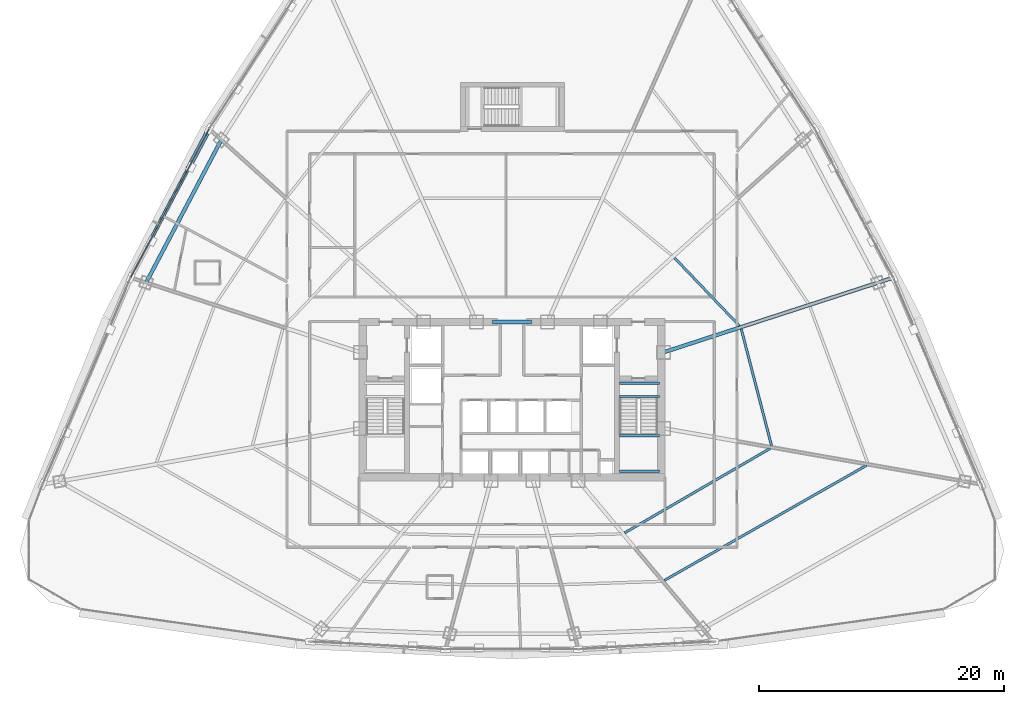
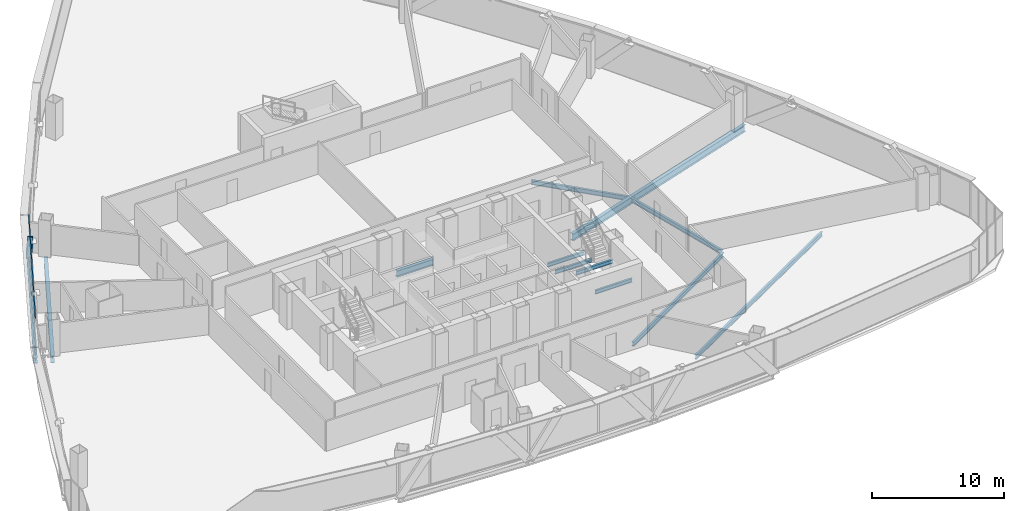
# One storey, part 17 of 40: 12 beams, 3 members, 1 element without a shape of its own.
"""IFC4 building model written with IfcOpenShell, lengths in metres."""

from ifc_helpers import new_model, si_unit, direction, frame, origin, origin_2d, place, context, subcontext, project, spatial, hollow_rectangle, i_section, extrude, source, transform, mapped, material, layer, layer_set, material_profile, profile_set, type_object, element, aggregate, save


model = new_model("IFC4")

# Units and contexts
model_context = context("Model", 3, precision=1e-05, world=origin(), true_north=direction((0.0, 1.0)))
body_context = subcontext(model_context, "Body", "Model", "MODEL_VIEW")
ifc_project = project(units=[si_unit("LENGTHUNIT", "METRE"), si_unit("AREAUNIT", "SQUARE_METRE"), si_unit("VOLUMEUNIT", "CUBIC_METRE"), si_unit("PLANEANGLEUNIT", "RADIAN"), si_unit("MASSUNIT", "GRAM", prefix="KILO"), si_unit("THERMODYNAMICTEMPERATUREUNIT", "KELVIN"), si_unit("POWERUNIT", "WATT")], contexts=[model_context])

# Site, building, storey
site_placement = place(None, origin())
site = spatial("IfcSite", under=ifc_project, at=site_placement, CompositionType="ELEMENT")
building_placement = place(site_placement, origin())
building = spatial("IfcBuilding", under=site, at=building_placement, Name="Yunzhuo Pagoda Commons", CompositionType="ELEMENT")
storey_placement = place(building_placement, frame((0.0, 0.0, 159.27001953125)))
storey = spatial("IfcBuildingStorey", under=building, at=storey_placement, Name="L40", CompositionType="ELEMENT", Elevation=159.27001953125)

# Beams
ifc_material_1 = material(Name="Structural steel Q355B", Category="steel")
ifc_material_profile_1 = material_profile(ifc_material_1, i_section(OverallWidth=0.175048828125, OverallDepth=0.35009765625, WebThickness=0.007080078125, FlangeThickness=0.010986328125, at=origin_2d()), Name="Structural steel Q355B")
ifc_profile_set_1 = profile_set([ifc_material_profile_1], Name="Structural steel Q355B")
beam_type_1 = type_object("IfcBeamType", Name="B-JS2 Joist HN 350x175x7x11", PredefinedType="JOIST", material=ifc_profile_set_1)
shared_shape_1 = source(origin(), body_context, "Body", "SweptSolid", [
    extrude(i_section(OverallWidth=0.175048828125, OverallDepth=0.35009765625, WebThickness=0.007080078125, FlangeThickness=0.010986328125, at=origin_2d()), origin(), (0.0, 0.0, 1.0), 3.25),
])
for number, where, z_axis, x_axis, name in (
    (1, (56.800048828125, 28.0, 1.465087890625), (1.0, 0.0, 0.0), (0.0, 1.0, 0.0), "L40 ST2 landing support beam 46A"),
    (2, (56.800048828125, 30.89990234375, 1.465087890625), (1.0, 0.0, 0.0), (0.0, 1.0, 0.0), "L40 ST2 landing support beam 46B"),
    (3, (56.800048828125, 34.10009765625, -0.374755859375), (1.0, 0.0, 0.0), (0.0, 1.0, 0.0), "L40 ST2 landing support beam 144A"),
    (4, (56.800048828125, 35.199951171875, -0.374755859375), (1.0, 0.0, 0.0), (0.0, 1.0, 0.0), "L40 ST2 landing support beam 144B"),
):
    element("IfcBeam", number, at=place(storey_placement, frame(where, z_axis=z_axis, x_axis=x_axis)), inside=storey, type_object=beam_type_1, Name=name, PredefinedType="JOIST", context=body_context, shape_type="MappedRepresentation", body=[
        mapped(shared_shape_1, transform((0.0, 0.0, 0.0), scale=1.0)),
    ])
ifc_material_2 = material(Name="Structural steel Q420B", Category="steel")
ifc_material_profile_2 = material_profile(ifc_material_2, i_section(OverallWidth=0.300048828125, OverallDepth=0.587890625, WebThickness=0.011962890625, FlangeThickness=0.02001953125, at=origin_2d()), Name="Structural steel Q420B")
ifc_profile_set_2 = profile_set([ifc_material_profile_2], Name="Structural steel Q420B")
beam_type_2 = type_object("IfcBeamType", Name="B-CPL Beam HM 588x300x12x20", PredefinedType="BEAM", material=ifc_profile_set_2)
shared_shape_2 = source(origin(), body_context, "Body", "SweptSolid", [
    extrude(i_section(OverallWidth=0.300048828125, OverallDepth=0.587890625, WebThickness=0.011962890625, FlangeThickness=0.02001953125, at=origin_2d()), origin(), (0.0, 0.0, 1.0), 3.2001953125),
])
beam_1_placement = place(storey_placement, frame((46.39990234375, 40.199951171875, -0.5537109375), z_axis=(1.0, 0.0, 0.0), x_axis=(0.0, 1.0, 0.0)))
element("IfcBeam", 5, at=beam_1_placement, inside=storey, type_object=beam_type_2, Name="L40 core coupling girder", PredefinedType="BEAM", context=body_context, shape_type="MappedRepresentation", body=[
    mapped(shared_shape_2, transform((0.0, 0.0, 0.0), scale=1.0)),
])
ifc_material_profile_3 = material_profile(ifc_material_1, i_section(OverallWidth=0.199951171875, OverallDepth=0.39990234375, WebThickness=0.008056640625, FlangeThickness=0.012939453125, at=origin_2d()), Name="Structural steel Q355B")
ifc_profile_set_3 = profile_set([ifc_material_profile_3], Name="Structural steel Q355B")
beam_type_3 = type_object("IfcBeamType", Name="B-JS1 Joist HN 400x200x8x13", PredefinedType="JOIST", material=ifc_profile_set_3)
shared_shape_3 = source(origin(), body_context, "Body", "SweptSolid", [
    extrude(i_section(OverallWidth=0.199951171875, OverallDepth=0.39990234375, WebThickness=0.008056640625, FlangeThickness=0.012939453125, at=origin_2d()), origin(), (0.0, 0.0, 1.0), 13.76416015625),
])
beam_2_placement = place(storey_placement, frame((57.2119140625, 22.96533203125, -0.4599609375), z_axis=(0.864967288101, 0.501828248025, 0.0), x_axis=(-0.501828248025, 0.864967288101, 0.0)))
element("IfcBeam", 6, at=beam_2_placement, inside=storey, type_object=beam_type_3, Name="L40 composite ring joist 1.4", PredefinedType="JOIST", context=body_context, shape_type="MappedRepresentation", body=[
    mapped(shared_shape_3, transform((0.0, 0.0, 0.0), scale=1.0)),
])
shared_shape_4 = source(origin(), body_context, "Body", "SweptSolid", [
    extrude(i_section(OverallWidth=0.199951171875, OverallDepth=0.39990234375, WebThickness=0.008056640625, FlangeThickness=0.012939453125, at=origin_2d()), origin(), (0.0, 0.0, 1.0), 19.007568359375),
])
beam_3_placement = place(storey_placement, frame((60.468017578125, 19.08447265625, -0.4599609375), z_axis=(0.869119947472, 0.494601371718, 0.0), x_axis=(-0.494601371718, 0.869119947472, 0.0)))
element("IfcBeam", 7, at=beam_3_placement, inside=storey, type_object=beam_type_3, Name="L40 composite ring joist 2.4", PredefinedType="JOIST", context=body_context, shape_type="MappedRepresentation", body=[
    mapped(shared_shape_4, transform((0.0, 0.0, 0.0), scale=1.0)),
])
shared_shape_5 = source(origin(), body_context, "Body", "SweptSolid", [
    extrude(i_section(OverallWidth=0.199951171875, OverallDepth=0.39990234375, WebThickness=0.008056640625, FlangeThickness=0.012939453125, at=origin_2d()), origin(), (0.0, 0.0, 1.0), 9.8330078125),
])
beam_4_placement = place(storey_placement, frame((69.215087890625, 30.10595703125, -0.4599609375), z_axis=(-0.251166367041, 0.967943932295, 0.0), x_axis=(-0.967943932295, -0.251166367041, 0.0)))
element("IfcBeam", 8, at=beam_4_placement, inside=storey, type_object=beam_type_3, Name="L40 composite ring joist 1.5", PredefinedType="JOIST", context=body_context, shape_type="MappedRepresentation", body=[
    mapped(shared_shape_5, transform((0.0, 0.0, 0.0), scale=1.0)),
])
ifc_material_profile_4 = material_profile(ifc_material_1, i_section(OverallWidth=0.300048828125, OverallDepth=0.64990234375, WebThickness=0.012939453125, FlangeThickness=0.02197265625, at=origin_2d()), Name="Structural steel Q355B")
ifc_profile_set_4 = profile_set([ifc_material_profile_4], Name="Structural steel Q355B")
beam_type_4 = type_object("IfcBeamType", Name="B-RG2 Beam HN 650x300x13x22", PredefinedType="BEAM", material=ifc_profile_set_4)
shared_shape_6 = source(origin(), body_context, "Body", "SweptSolid", [
    extrude(i_section(OverallWidth=0.300048828125, OverallDepth=0.64990234375, WebThickness=0.012939453125, FlangeThickness=0.02197265625, at=origin_2d()), origin(), (0.0, 0.0, 1.0), 13.198974609375),
])
beam_5_placement = place(storey_placement, frame((24.23388671875, 55.09912109375, -0.5849609375), z_axis=(-0.465885937554, -0.884844784801, 0.0), x_axis=(0.884844784801, -0.465885937554, 0.0)))
element("IfcBeam", 9, at=beam_5_placement, inside=storey, type_object=beam_type_4, Name="L40 column-ring beam 10", PredefinedType="BEAM", context=body_context, shape_type="MappedRepresentation", body=[
    mapped(shared_shape_6, transform((0.0, 0.0, 0.0), scale=1.0)),
])
shared_shape_7 = source(origin(), body_context, "Body", "SweptSolid", [
    extrude(i_section(OverallWidth=0.199951171875, OverallDepth=0.39990234375, WebThickness=0.008056640625, FlangeThickness=0.012939453125, at=origin_2d()), origin(), (0.0, 0.0, 1.0), 7.685546875),
])
beam_6_placement = place(storey_placement, frame((66.595703125, 39.892578125, -0.4599609375), z_axis=(-0.690882862648, 0.722966714378, 0.0), x_axis=(-0.722966714378, -0.690882862648, 0.0)))
element("IfcBeam", 10, at=beam_6_placement, inside=storey, type_object=beam_type_3, Name="L40 composite ring joist 1.6", PredefinedType="JOIST", context=body_context, shape_type="MappedRepresentation", body=[
    mapped(shared_shape_7, transform((0.0, 0.0, 0.0), scale=1.0)),
])
shared_shape_8 = source(origin(), body_context, "Body", "SweptSolid", [
    extrude(i_section(OverallWidth=0.300048828125, OverallDepth=0.64990234375, WebThickness=0.012939453125, FlangeThickness=0.02197265625, at=origin_2d()), origin(), (0.0, 0.0, 1.0), 19.594482421875),
])
beam_7_placement = place(storey_placement, frame((79.035400390625, 43.7841796875, -0.5849609375), z_axis=(-0.951054485202, -0.309023245365, 0.0), x_axis=(0.309023245365, -0.951054485202, 0.0)))
element("IfcBeam", 11, at=beam_7_placement, inside=storey, type_object=beam_type_4, Name="L40 radial floor girder F2C2", PredefinedType="BEAM", context=body_context, shape_type="MappedRepresentation", body=[
    mapped(shared_shape_8, transform((0.0, 0.0, 0.0), scale=1.0)),
])
ifc_material_profile_5 = material_profile(ifc_material_1, i_section(OverallWidth=0.300048828125, OverallDepth=0.488037109375, WebThickness=0.010986328125, FlangeThickness=0.01806640625, at=origin_2d()), Name="Structural steel Q355B")
ifc_profile_set_5 = profile_set([ifc_material_profile_5], Name="Structural steel Q355B")
beam_type_5 = type_object("IfcBeamType", Name="B-SP1 Beam HM 488x300x11x18", PredefinedType="BEAM", material=ifc_profile_set_5)
shared_shape_9 = source(origin(), body_context, "Body", "SweptSolid", [
    extrude(i_section(OverallWidth=0.300048828125, OverallDepth=0.488037109375, WebThickness=0.010986328125, FlangeThickness=0.01806640625, at=origin_2d()), origin(), (0.0, 0.0, 1.0), 13.75244140625),
])
beam_8_placement = place(storey_placement, frame((23.244384765625, 55.989990234375, -0.50390625), z_axis=(-0.467350934474, -0.884071888506, 0.0), x_axis=(0.884071888506, -0.467350934474, 0.0)))
element("IfcBeam", 12, at=beam_8_placement, inside=storey, type_object=beam_type_5, Name="L40 facade edge spandrel beam F3.2", PredefinedType="BEAM", context=body_context, shape_type="MappedRepresentation", body=[
    mapped(shared_shape_9, transform((0.0, 0.0, 0.0), scale=1.0)),
])

# Member
ifc_material_profile_6 = material_profile(ifc_material_1, hollow_rectangle(XDim=0.39990234375, YDim=0.719970703125, WallThickness=0.02392578125, at=origin_2d()), Name="Structural steel Q355B")
ifc_profile_set_6 = profile_set([ifc_material_profile_6], Name="Structural steel Q355B")
member_type_1 = type_object("IfcMemberType", Name="M-DL2 Brace BOX 720x400x24", PredefinedType="BRACE", material=ifc_profile_set_6)
shared_shape_10 = source(origin(), body_context, "Body", "SweptSolid", [
    extrude(hollow_rectangle(XDim=0.39990234375, YDim=0.719970703125, WallThickness=0.02392578125, at=origin_2d()), origin(), (0.0, 0.0, 1.0), 5.035888671875),
])
member_1_placement = place(storey_placement, frame((23.244384765625, 55.989990234375, -0.260009765625), z_axis=(-0.31904433984, -0.603522714887, 0.730733222066), x_axis=(0.884071048322, -0.467352523818, 0.0)))
element("IfcMember", 13, at=member_1_placement, inside=storey, type_object=member_type_1, Name="L40 facade diamond brace F3.2L", PredefinedType="BRACE", context=body_context, shape_type="MappedRepresentation", body=[
    mapped(shared_shape_10, transform((0.0, 0.0, 0.0), scale=1.0)),
])

# Curtain wall, members
ifc_material_3 = material(Name="Anodized aluminium 6063-T6", Category="aluminium")
ifc_layer = layer(ifc_material_3, 0.14990234375)
ifc_layer_set = layer_set([ifc_layer], Name="Anodized aluminium 6063-T6")
curtain_wall_type = type_object("IfcCurtainWallType", Name="CW-MID Mid-Zone Ribbon Curtain Wall", PredefinedType="NOTDEFINED", material=ifc_layer_set)
curtain_wall_placement = place(storey_placement, origin())
curtain_wall = element("IfcCurtainWall", 14, at=curtain_wall_placement, inside=storey, type_object=curtain_wall_type, Name="L40 curtain wall CW-L40-F3B3", PredefinedType="NOTDEFINED")
ifc_material_profile_7 = material_profile(ifc_material_3, hollow_rectangle(XDim=0.054931640625, YDim=0.1298828125, WallThickness=0.00341796875, at=origin_2d()), Name="Anodized aluminium 6063-T6")
ifc_profile_set_7 = profile_set([ifc_material_profile_7], Name="Anodized aluminium 6063-T6")
member_type_2 = type_object("IfcMemberType", Name="CW-MID-T Transom RHS 130x55x3.5", PredefinedType="USERDEFINED", material=ifc_profile_set_7)
shared_shape_11 = source(origin(), body_context, "Body", "SweptSolid", [
    extrude(hollow_rectangle(XDim=0.054931640625, YDim=0.1298828125, WallThickness=0.00341796875, at=origin_2d()), origin(), (0.0, 0.0, 1.0), 13.632568359375),
])
member_2_placement = place(storey_placement, frame((23.216552734375, 55.93701171875, 0.027587890625), z_axis=(-0.467364316049, -0.884064814414, 0.0), x_axis=(0.884064814414, -0.467364316049, 0.0)))
member_2 = element("IfcMember", 15, at=member_2_placement, type_object=member_type_2, Name="CW transom 1.1", ObjectType="TRANSOM", PredefinedType="USERDEFINED", context=body_context, shape_type="MappedRepresentation", body=[
    mapped(shared_shape_11, transform((0.0, 0.0, 0.0), scale=1.0)),
])
member_3_placement = place(storey_placement, frame((23.216552734375, 55.93701171875, 3.392578125), z_axis=(-0.467364316049, -0.884064814414, 0.0), x_axis=(0.884064814414, -0.467364316049, 0.0)))
member_3 = element("IfcMember", 16, at=member_3_placement, type_object=member_type_2, Name="CW transom 1.2", ObjectType="TRANSOM", PredefinedType="USERDEFINED", context=body_context, shape_type="MappedRepresentation", body=[
    mapped(shared_shape_11, transform((0.0, 0.0, 0.0), scale=1.0)),
])
aggregate(curtain_wall, [member_2, member_3])

save(model, "model.ifc")
